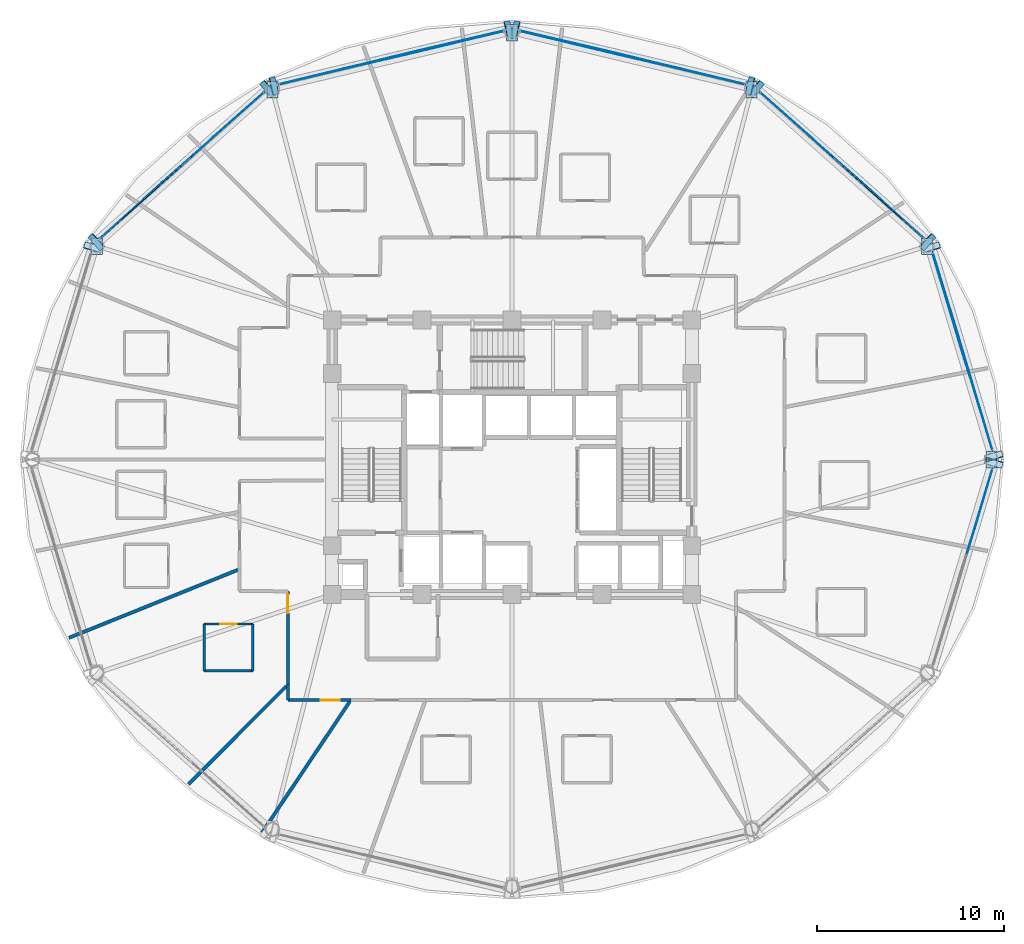
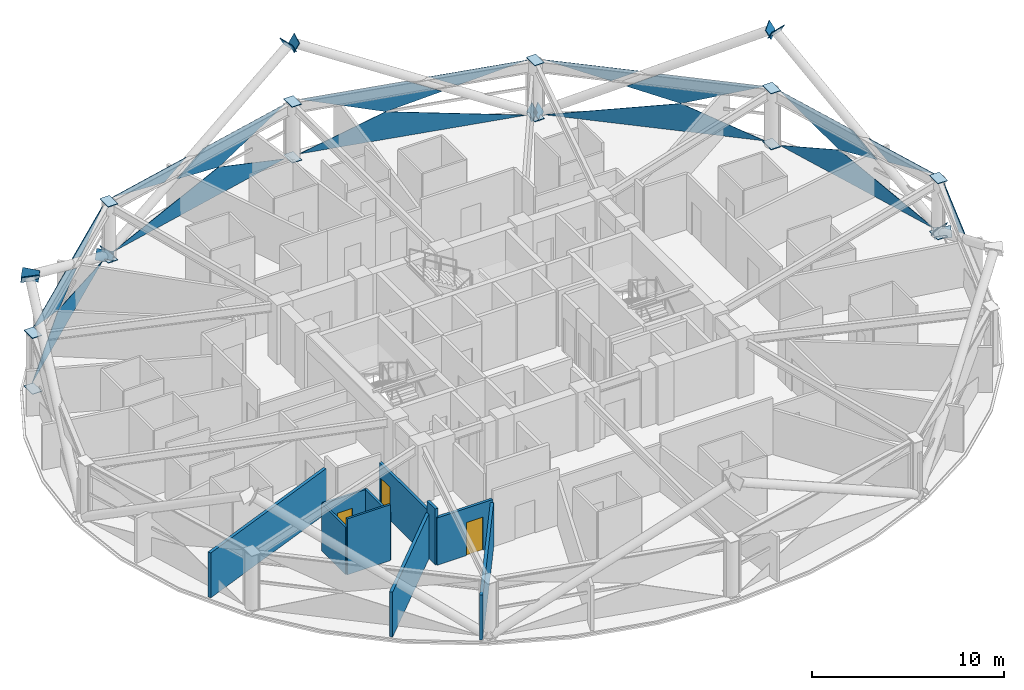
# One storey, part 23 of 32: 40 plates, 10 walls, 3 doors, 3 openings, 6 elements without a shape of their own.
"""IFC4 building model written with IfcOpenShell, lengths in metres."""

from ifc_helpers import new_model, si_unit, direction, frame, frame_2d, origin, place, context, subcontext, project, spatial, polyline, rectangle, outline, extrude, material, layer, layer_set, type_object, element, fill, aggregate, save


model = new_model("IFC4")

# Units and contexts
model_context = context("Model", 3, precision=1e-05, world=origin(), true_north=direction((0.0, 1.0)))
body_context = subcontext(model_context, "Body", "Model", "MODEL_VIEW")
ifc_project = project(units=[si_unit("LENGTHUNIT", "METRE"), si_unit("AREAUNIT", "SQUARE_METRE"), si_unit("VOLUMEUNIT", "CUBIC_METRE"), si_unit("PLANEANGLEUNIT", "RADIAN"), si_unit("MASSUNIT", "GRAM", prefix="KILO")], contexts=[model_context])

# Site, building, storey
site_placement = place(None, origin())
site = spatial("IfcSite", under=ifc_project, at=site_placement, CompositionType="ELEMENT")
building_placement = place(site_placement, origin())
building = spatial("IfcBuilding", under=site, at=building_placement, Name="Vantalir Tower", CompositionType="ELEMENT")
storey_placement = place(building_placement, frame((0.0, 0.0, 104.699951171875)))
storey = spatial("IfcBuildingStorey", under=building, at=storey_placement, Name="L25", CompositionType="ELEMENT", Elevation=104.699951171875)

# Curtain wall, plates
ifc_material_1 = material(Name="Champagne-silver PVDF aluminium and double-silver Low-E glass", Category="aluminium")
ifc_layer_1 = layer(ifc_material_1, 0.199951171875)
ifc_layer_set_1 = layer_set([ifc_layer_1], Name="Champagne-silver PVDF aluminium and double-silver Low-E glass")
curtain_wall_type = type_object("IfcCurtainWallType", Name="CW-DIAMOND-Z2", PredefinedType="USERDEFINED", material=ifc_layer_set_1)
curtain_wall_1_placement = place(storey_placement, origin())
curtain_wall_1 = element("IfcCurtainWall", 1, at=curtain_wall_1_placement, inside=storey, type_object=curtain_wall_type, Name="L25 Quilted Pyramid-Diamond Curtain Wall S01", ObjectType="UNITISED CURTAIN WALL", PredefinedType="USERDEFINED")
ifc_material_2 = material(Name="Double-silver Low-E laminated glass IGU", Category="glass")
ifc_layer_2 = layer(ifc_material_2, 0.028076171875)
ifc_layer_set_2 = layer_set([ifc_layer_2], Name="Double-silver Low-E laminated glass IGU")
plate_type_1 = type_object("IfcPlateType", Name="CWP-IGU-28", PredefinedType="CURTAIN_PANEL", material=ifc_layer_set_2)
plate_1_placement = place(storey_placement, frame((57.14697265625, 25.435791015625, 0.04638671875), z_axis=(-0.957572069802, -0.287866428503, 0.013735009114), x_axis=(-0.287893295674, 0.957662492646, 2.2020292e-05)))
plate_1 = element("IfcPlate", 2, at=plate_1_placement, type_object=plate_type_1, Name="CW-L25-S01 Pyramid Diamond Facet 1L", PredefinedType="CURTAIN_PANEL", context=body_context, shape_type="SweptSolid", body=[
    extrude(outline(polyline([(0.0, 0.0), (11.087074896201033, 7.508100044462118e-18), (6.8682200290190405, -1.7268182910625938), (0.0, 0.0)])), origin(), (0.0, 0.0, -1.0), 0.028076171875),
])
plate_2_placement = place(storey_placement, frame((55.456787109375, 31.057861328125, 3.5234375), z_axis=(0.957575443257, 0.287853566975, 0.013769330091), x_axis=(-0.287880858464, 0.957666231696, -8.465e-09)))
plate_2 = element("IfcPlate", 3, at=plate_2_placement, type_object=plate_type_1, Name="CW-L25-S01 Pyramid Diamond Facet 2U", PredefinedType="CURTAIN_PANEL", context=body_context, shape_type="SweptSolid", body=[
    extrude(outline(polyline([(0.0, 0.0), (5.216435935880668, -3.469446951953614e-18), (0.9975433712634988, -1.726726188166843), (-1.7401372522594103, -1.0384285818292187), (0.0, 0.0)])), origin(), (0.0, 0.0, -1.0), 0.028076171875),
])
plate_3_placement = place(storey_placement, frame((57.177734375, 25.44482421875, 3.52392578125), z_axis=(0.957562591096, 0.287894635232, 0.013804460789), x_axis=(-0.287922070205, 0.957653842204, 0.0)))
plate_3 = element("IfcPlate", 4, at=plate_3_placement, type_object=plate_type_1, Name="CW-L25-S01 Pyramid Diamond Facet 2U Infill Light", PredefinedType="CURTAIN_PANEL", context=body_context, shape_type="SweptSolid", body=[
    extrude(outline(polyline([(0.0, 0.0), (4.758638983539541, -3.469446951953614e-18), (3.3481530526053396, -0.8416329303017664), (0.0, 0.0)])), origin(), (0.0, 0.0, -1.0), 0.028076171875),
])
aggregate(curtain_wall_1, [plate_1, plate_2, plate_3])

curtain_wall_2_placement = place(storey_placement, origin())
curtain_wall_2 = element("IfcCurtainWall", 5, at=curtain_wall_2_placement, inside=storey, type_object=curtain_wall_type, Name="L25 Quilted Pyramid-Diamond Curtain Wall S02", ObjectType="UNITISED CURTAIN WALL", PredefinedType="USERDEFINED")
plate_4_placement = place(storey_placement, frame((53.484375, 36.791748046875, 0.046630859375), z_axis=(-0.665369240134, -0.746388562163, 0.013707244681), x_axis=(-0.746458880682, 0.66543154345, -2.0813598e-05)))
plate_4 = element("IfcPlate", 6, at=plate_4_placement, type_object=plate_type_1, Name="CW-L25-S02 Pyramid Diamond Facet 1L", PredefinedType="CURTAIN_PANEL", context=body_context, shape_type="SweptSolid", body=[
    extrude(outline(polyline([(0.0, 0.0), (11.729861619438788, -1.7943545954635098e-17), (4.4590135223658, -1.7270617043016523), (0.0, 0.0)])), origin(), (0.0, 0.0, -1.0), 0.028076171875),
])
plate_5_placement = place(storey_placement, frame((53.484375, 36.791748046875, 3.5234375), z_axis=(0.665380784811, 0.746379043295, 0.01366509913), x_axis=(-0.746449141389, 0.665442467363, 4.4153414e-05)))
plate_5 = element("IfcPlate", 7, at=plate_5_placement, type_object=plate_type_1, Name="CW-L25-S02 Pyramid Diamond Facet 2U", PredefinedType="CURTAIN_PANEL", context=body_context, shape_type="SweptSolid", body=[
    extrude(outline(polyline([(0.0, 0.0), (5.527477233134237, 8.944667923005412e-18), (7.359887983364958, -1.0382637066495168), (4.45897356161791, -1.7271648733868552), (0.0, 0.0)])), origin(), (0.0, 0.0, -1.0), 0.028076171875),
])
plate_6_placement = place(storey_placement, frame((48.516357421875, 41.263427734375, 3.52392578125), z_axis=(0.665386052483, 0.746375118793, 0.013622892792), x_axis=(-0.746444823577, 0.665447310472, 4.8385611e-05)))
plate_6 = element("IfcPlate", 8, at=plate_6_placement, type_object=plate_type_1, Name="CW-L25-S02 Pyramid Diamond Facet 2U Infill Light", PredefinedType="CURTAIN_PANEL", context=body_context, shape_type="SweptSolid", body=[
    extrude(outline(polyline([(0.0, 0.0), (5.0457278326719734, -8.890457814381136e-18), (1.4905383379831172, -0.8443887586698617), (0.0, 0.0)])), origin(), (0.0, 0.0, -1.0), 0.028076171875),
])
aggregate(curtain_wall_2, [plate_4, plate_5, plate_6])

curtain_wall_3_placement = place(storey_placement, origin())
curtain_wall_3 = element("IfcCurtainWall", 9, at=curtain_wall_3_placement, inside=storey, type_object=curtain_wall_type, Name="L25 Quilted Pyramid-Diamond Curtain Wall S03", ObjectType="UNITISED CURTAIN WALL", PredefinedType="USERDEFINED")
plate_7_placement = place(storey_placement, frame((43.946533203125, 45.005615234375, 0.04638671875), z_axis=(-0.232255201791, -0.97255746743, 0.013765674256), x_axis=(-0.972649563879, 0.23227747522, 1.9781764e-05)))
plate_7 = element("IfcPlate", 10, at=plate_7_placement, type_object=plate_type_1, Name="CW-L25-S03 Pyramid Diamond Facet 1L", PredefinedType="CURTAIN_PANEL", context=body_context, shape_type="SweptSolid", body=[
    extrude(outline(polyline([(0.0, 0.0), (12.341701303755851, 1.2197274440461925e-18), (7.6458252188057445, -1.7273073390602611), (0.0, 0.0)])), origin(), (0.0, 0.0, -1.0), 0.028076171875),
])
plate_8_placement = place(storey_placement, frame((37.607421875, 46.51953125, 3.523681640625), z_axis=(0.2322275837, 0.972564443903, 0.013738698034), x_axis=(-0.972656108273, 0.232250066232, -4.2123044e-05)))
plate_8 = element("IfcPlate", 11, at=plate_8_placement, type_object=plate_type_1, Name="CW-L25-S03 Pyramid Diamond Facet 2U", PredefinedType="CURTAIN_PANEL", context=body_context, shape_type="SweptSolid", body=[
    extrude(outline(polyline([(0.0, 0.0), (5.824318846553339, -1.5449880957918438e-18), (1.1284806812019208, -1.727410421993151), (-1.921730495743809, -1.038266076908136), (0.0, 0.0)])), origin(), (0.0, 0.0, -1.0), 0.028076171875),
])
plate_9_placement = place(storey_placement, frame((43.953857421875, 45.036865234375, 3.524169921875), z_axis=(0.232272822853, 0.972553524814, 0.013746895471), x_axis=(-0.97264543303, 0.232294773091, 0.0)))
plate_9 = element("IfcPlate", 12, at=plate_9_placement, type_object=plate_type_1, Name="CW-L25-S03 Pyramid Diamond Facet 2U Infill Light", PredefinedType="CURTAIN_PANEL", context=body_context, shape_type="SweptSolid", body=[
    extrude(outline(polyline([(0.0, 0.0), (5.3190852582904204, 0.0), (3.7505650794186045, -0.8474921914817816), (0.0, 0.0)])), origin(), (0.0, 0.0, -1.0), 0.028076171875),
])
aggregate(curtain_wall_3, [plate_7, plate_8, plate_9])

curtain_wall_4_placement = place(storey_placement, origin())
curtain_wall_4 = element("IfcCurtainWall", 13, at=curtain_wall_4_placement, inside=storey, type_object=curtain_wall_type, Name="L25 Quilted Pyramid-Diamond Curtain Wall S04", ObjectType="UNITISED CURTAIN WALL", PredefinedType="USERDEFINED")
plate_10_placement = place(storey_placement, frame((31.0576171875, 47.872314453125, 0.046630859375), z_axis=(0.232255201791, -0.97255746743, 0.013765674256), x_axis=(-0.972649563879, -0.23227747522, -1.9781764e-05)))
plate_10 = element("IfcPlate", 14, at=plate_10_placement, type_object=plate_type_1, Name="CW-L25-S04 Pyramid Diamond Facet 1L", PredefinedType="CURTAIN_PANEL", context=body_context, shape_type="SweptSolid", body=[
    extrude(outline(polyline([(0.0, 0.0), (12.341701303755851, -1.2197274440461925e-18), (4.695876084950106, -1.7273073390602613), (0.0, 0.0)])), origin(), (0.0, 0.0, -1.0), 0.028076171875),
])
plate_11_placement = place(storey_placement, frame((31.0576171875, 47.872314453125, 3.5234375), z_axis=(-0.2322275837, 0.972564443903, 0.013738698034), x_axis=(-0.972656108273, -0.232250066232, 4.2123044e-05)))
plate_11 = element("IfcPlate", 15, at=plate_11_placement, type_object=plate_type_1, Name="CW-L25-S04 Pyramid Diamond Facet 2U", PredefinedType="CURTAIN_PANEL", context=body_context, shape_type="SweptSolid", body=[
    extrude(outline(polyline([(0.0, 0.0), (5.824318846553339, 1.5449880957918438e-18), (7.746049342297147, -1.038266076908136), (4.695838165351418, -1.727410421993151), (0.0, 0.0)])), origin(), (0.0, 0.0, -1.0), 0.028076171875),
])
plate_12_placement = place(storey_placement, frame((24.2197265625, 46.2724609375, 3.524169921875), z_axis=(-0.232272822853, 0.972553524814, 0.013746895471), x_axis=(-0.97264543303, -0.232294773091, 0.0)))
plate_12 = element("IfcPlate", 16, at=plate_12_placement, type_object=plate_type_1, Name="CW-L25-S04 Pyramid Diamond Facet 2U Infill Light", PredefinedType="CURTAIN_PANEL", context=body_context, shape_type="SweptSolid", body=[
    extrude(outline(polyline([(0.0, 0.0), (5.3190852582904204, 0.0), (1.568520178871816, -0.8474921914817816), (0.0, 0.0)])), origin(), (0.0, 0.0, -1.0), 0.028076171875),
])
aggregate(curtain_wall_4, [plate_10, plate_11, plate_12])

curtain_wall_5_placement = place(storey_placement, origin())
curtain_wall_5 = element("IfcCurtainWall", 17, at=curtain_wall_5_placement, inside=storey, type_object=curtain_wall_type, Name="L25 Quilted Pyramid-Diamond Curtain Wall S05", ObjectType="UNITISED CURTAIN WALL", PredefinedType="USERDEFINED")
plate_13_placement = place(storey_placement, frame((18.271484375, 44.59716796875, 0.04638671875), z_axis=(0.665369240134, -0.746388562163, 0.013707244681), x_axis=(-0.746458880682, -0.66543154345, 2.0813598e-05)))
plate_13 = element("IfcPlate", 18, at=plate_13_placement, type_object=plate_type_1, Name="CW-L25-S05 Pyramid Diamond Facet 1L", PredefinedType="CURTAIN_PANEL", context=body_context, shape_type="SweptSolid", body=[
    extrude(outline(polyline([(0.0, 0.0), (11.729861619438788, 1.7943545954635098e-17), (7.27084809707299, -1.727061704301652), (0.0, 0.0)])), origin(), (0.0, 0.0, -1.0), 0.028076171875),
])
plate_14_placement = place(storey_placement, frame((13.6416015625, 40.469970703125, 3.523681640625), z_axis=(-0.665380784811, 0.746379043295, 0.01366509913), x_axis=(-0.746449141389, -0.665442467363, -4.4153414e-05)))
plate_14 = element("IfcPlate", 19, at=plate_14_placement, type_object=plate_type_1, Name="CW-L25-S05 Pyramid Diamond Facet 2U", PredefinedType="CURTAIN_PANEL", context=body_context, shape_type="SweptSolid", body=[
    extrude(outline(polyline([(0.0, 0.0), (5.527477233134237, -8.944667923005412e-18), (1.0685036715163276, -1.7271648733868554), (-1.8324107502307216, -1.038263706649517), (0.0, 0.0)])), origin(), (0.0, 0.0, -1.0), 0.028076171875),
])
plate_15_placement = place(storey_placement, frame((18.25, 44.62109375, 3.524169921875), z_axis=(-0.665386052483, 0.746375118793, 0.013622892792), x_axis=(-0.746444823577, -0.665447310472, -4.8385611e-05)))
plate_15 = element("IfcPlate", 20, at=plate_15_placement, type_object=plate_type_1, Name="CW-L25-S05 Pyramid Diamond Facet 2U Infill Light", PredefinedType="CURTAIN_PANEL", context=body_context, shape_type="SweptSolid", body=[
    extrude(outline(polyline([(0.0, 0.0), (5.0457278326719734, 8.890457814381136e-18), (3.5551894946888556, -0.8443887586698618), (0.0, 0.0)])), origin(), (0.0, 0.0, -1.0), 0.028076171875),
])
aggregate(curtain_wall_5, [plate_13, plate_14, plate_15])

# Curtain wall, plate
curtain_wall_6_placement = place(storey_placement, origin())
curtain_wall_6 = element("IfcCurtainWall", 21, at=curtain_wall_6_placement, inside=storey, type_object=curtain_wall_type, Name="L25 Quilted Pyramid-Diamond Curtain Wall S12", ObjectType="UNITISED CURTAIN WALL", PredefinedType="USERDEFINED")
plate_16_placement = place(storey_placement, frame((55.8076171875, 19.998046875, 3.52392578125), z_axis=(0.957562591096, -0.287894635232, 0.013804460789), x_axis=(0.287922070205, 0.957653842204, 0.0)))
plate_16 = element("IfcPlate", 22, at=plate_16_placement, type_object=plate_type_1, Name="CW-L25-S12 Pyramid Diamond Facet 2U Infill Light", PredefinedType="CURTAIN_PANEL", context=body_context, shape_type="SweptSolid", body=[
    extrude(outline(polyline([(0.0, 0.0), (4.758638983539541, 3.469446951953614e-18), (1.4104859309342017, -0.8416329303017664), (0.0, 0.0)])), origin(), (0.0, 0.0, -1.0), 0.028076171875),
])
aggregate(curtain_wall_6, [plate_16])

# Plates
ifc_material_3 = material(Name="Steel S460", Category="steel")
ifc_layer_3 = layer(ifc_material_3, 0.0400390625)
ifc_layer_set_3 = layer_set([ifc_layer_3], Name="Steel S460")
plate_type_2 = type_object("IfcPlateType", Name="PLT-KN-Z1", PredefinedType="USERDEFINED", material=ifc_layer_set_3)
plate_17_placement = place(storey_placement, frame((57.630859375, 25.476318359375, -0.0693359375), z_axis=(-0.247189242662, 0.822455993553, 0.512312030877), x_axis=(-0.957683956664, -0.287821887429, -1.6270485e-05)))
element("IfcPlate", 23, at=plate_17_placement, inside=storey, type_object=plate_type_2, Name="Node Cap Plate MEM-DG-L25-R01L Start", ObjectType="FLANGE_PLATE", PredefinedType="USERDEFINED", context=body_context, shape_type="SweptSolid", body=[
    extrude(outline(polyline([(0.0, 0.0), (0.9501095264668244, 0.0), (0.949977471305542, 0.62003556284863), (0.00010175439844990708, 0.6199995664536296), (0.0, 0.0)])), origin(), (0.0, 0.0, -1.0), 0.0400390625),
])
plate_18_placement = place(storey_placement, frame((54.279541015625, 36.623291015625, 6.87744140625), z_axis=(-0.247289805387, 0.822313087792, 0.512492866095), x_axis=(-0.957644388178, -0.287953508154, -5.4158709e-05)))
element("IfcPlate", 24, at=plate_18_placement, inside=storey, type_object=plate_type_2, Name="Node Cap Plate MEM-DG-L25-R01L End", ObjectType="FLANGE_PLATE", PredefinedType="USERDEFINED", context=body_context, shape_type="SweptSolid", body=[
    extrude(outline(polyline([(0.0, 0.0), (0.949875712764493, 0.0), (0.9498374459084433, 0.6201553840651606), (-0.0001085680055012954, 0.6200355600148448), (0.0, 0.0)])), origin(), (0.0, 0.0, -1.0), 0.0400390625),
])
plate_19_placement = place(storey_placement, frame((56.720947265625, 24.797119140625, -0.0693359375), z_axis=(-0.247189242662, -0.822455993553, 0.512312030877), x_axis=(0.957683956664, -0.287821887429, 1.6270485e-05)))
element("IfcPlate", 25, at=plate_19_placement, inside=storey, type_object=plate_type_2, Name="Node Cap Plate MEM-DG-L25-R01R Start", ObjectType="FLANGE_PLATE", PredefinedType="USERDEFINED", context=body_context, shape_type="SweptSolid", body=[
    extrude(outline(polyline([(0.0, 0.0), (0.9501095264668244, 0.0), (0.9500077720683746, 0.6199995664536296), (0.00013205516128256313, 0.62003556284863), (0.0, 0.0)])), origin(), (0.0, 0.0, -1.0), 0.0400390625),
])
plate_20_placement = place(storey_placement, frame((44.160888671875, 45.44287109375, -0.084228515625), z_axis=(-0.855718354814, 0.204404648633, 0.475357588403), x_axis=(-0.232326183923, -0.972637930634, 1.2484436e-05)))
element("IfcPlate", 26, at=plate_20_placement, inside=storey, type_object=plate_type_2, Name="Node Cap Plate MEM-DG-L25-R07L Start", ObjectType="FLANGE_PLATE", PredefinedType="USERDEFINED", context=body_context, shape_type="SweptSolid", body=[
    extrude(outline(polyline([(0.0, 0.0), (0.9500628510048675, 1.3877787807814457e-17), (0.9499689962394693, 0.6199168368758669), (0.0001436056668853597, 0.6199437966735601), (0.0, 0.0)])), origin(), (0.0, 0.0, -1.0), 0.0400390625),
])
plate_21_placement = place(storey_placement, frame((31.6279296875, 48.435791015625, 6.8779296875), z_axis=(-0.855743063416, 0.204383548039, 0.475322179902), x_axis=(-0.232303709897, -0.972643298629, 0.0)))
element("IfcPlate", 27, at=plate_21_placement, inside=storey, type_object=plate_type_2, Name="Node Cap Plate MEM-DG-L25-R07L End", ObjectType="FLANGE_PLATE", PredefinedType="USERDEFINED", context=body_context, shape_type="SweptSolid", body=[
    extrude(outline(polyline([(0.0, 0.0), (0.9500628513325243, 0.0), (0.9499689959118446, 0.6199168373779231), (-9.385542067971708e-05, 0.6199168373779231), (0.0, 0.0)])), origin(), (0.0, 0.0, -1.0), 0.0400390625),
])
plate_22_placement = place(storey_placement, frame((44.3349609375, 44.311767578125, -0.077392578125), z_axis=(0.649504929742, -0.579064560361, 0.492775386129), x_axis=(0.665473588203, 0.746421397994, -4.459391e-06)))
element("IfcPlate", 28, at=plate_22_placement, inside=storey, type_object=plate_type_2, Name="Node Cap Plate MEM-DG-L25-R07R Start", ObjectType="FLANGE_PLATE", PredefinedType="USERDEFINED", context=body_context, shape_type="SweptSolid", body=[
    extrude(outline(polyline([(0.0, 0.0), (0.950178406889728, 2.7755575615628914e-17), (0.949884203497994, 0.6200666053914518), (5.049753263072288e-05, 0.6200568681820877), (0.0, 0.0)])), origin(), (0.0, 0.0, -1.0), 0.0400390625),
])
plate_23_placement = place(storey_placement, frame((53.499755859375, 36.1416015625, 6.877685546875), z_axis=(0.649512501575, -0.57897164297, 0.492874575256), x_axis=(0.66542527063, 0.746464471704, -4.1127171e-05)))
element("IfcPlate", 29, at=plate_23_placement, inside=storey, type_object=plate_type_2, Name="Node Cap Plate MEM-DG-L25-R07R End", ObjectType="FLANGE_PLATE", PredefinedType="USERDEFINED", context=body_context, shape_type="SweptSolid", body=[
    extrude(outline(polyline([(0.0, 0.0), (0.9501784036206771, 0.0), (0.9500664372739172, 0.6201466799572815), (5.049099470247789e-05, 0.6200568631731093), (0.0, 0.0)])), origin(), (0.0, 0.0, -1.0), 0.0400390625),
])
plate_24_placement = place(storey_placement, frame((18.03271484375, 45.02099609375, -0.077392578125), z_axis=(-0.649504929742, -0.579064560361, 0.492775386129), x_axis=(0.665473588203, -0.746421397994, 4.459391e-06)))
element("IfcPlate", 30, at=plate_24_placement, inside=storey, type_object=plate_type_2, Name="Node Cap Plate MEM-DG-L25-R13L Start", ObjectType="FLANGE_PLATE", PredefinedType="USERDEFINED", context=body_context, shape_type="SweptSolid", body=[
    extrude(outline(polyline([(0.0, 0.0), (0.950178406889728, -2.7755575615628914e-17), (0.9501279093570972, 0.6200568681820877), (0.00029420339173397635, 0.6200666053914516), (0.0, 0.0)])), origin(), (0.0, 0.0, -1.0), 0.0400390625),
])
plate_25_placement = place(storey_placement, frame((8.867919921875, 36.850830078125, 6.877685546875), z_axis=(-0.649512501575, -0.57897164297, 0.492874575256), x_axis=(0.66542527063, -0.746464471704, 4.1127171e-05)))
element("IfcPlate", 31, at=plate_25_placement, inside=storey, type_object=plate_type_2, Name="Node Cap Plate MEM-DG-L25-R13L End", ObjectType="FLANGE_PLATE", PredefinedType="USERDEFINED", context=body_context, shape_type="SweptSolid", body=[
    extrude(outline(polyline([(0.0, 0.0), (0.9501784036206771, 0.0), (0.9501279126259745, 0.6200568631731093), (0.00011196634675985747, 0.6201466799572815), (0.0, 0.0)])), origin(), (0.0, 0.0, -1.0), 0.0400390625),
])
plate_26_placement = place(storey_placement, frame((19.059814453125, 44.518798828125, -0.084228515625), z_axis=(0.855718354814, 0.204404648633, 0.475357588403), x_axis=(-0.232326183923, 0.972637930634, -1.2484436e-05)))
element("IfcPlate", 32, at=plate_26_placement, inside=storey, type_object=plate_type_2, Name="Node Cap Plate MEM-DG-L25-R13R Start", ObjectType="FLANGE_PLATE", PredefinedType="USERDEFINED", context=body_context, shape_type="SweptSolid", body=[
    extrude(outline(polyline([(0.0, 0.0), (0.9500628510048675, -1.3877787807814457e-17), (0.9499192453379821, 0.6199437966735601), (9.385476539828852e-05, 0.6199168368758669), (0.0, 0.0)])), origin(), (0.0, 0.0, -1.0), 0.0400390625),
])
plate_27_placement = place(storey_placement, frame((31.5927734375, 47.51171875, 6.8779296875), z_axis=(0.855743063416, 0.204383548039, 0.475322179902), x_axis=(-0.232303709897, 0.972643298629, 0.0)))
element("IfcPlate", 33, at=plate_27_placement, inside=storey, type_object=plate_type_2, Name="Node Cap Plate MEM-DG-L25-R13R End", ObjectType="FLANGE_PLATE", PredefinedType="USERDEFINED", context=body_context, shape_type="SweptSolid", body=[
    extrude(outline(polyline([(0.0, 0.0), (0.9500628513325243, 0.0), (0.950156706753204, 0.6199168373779231), (9.385542067971708e-05, 0.6199168373779231), (0.0, 0.0)])), origin(), (0.0, 0.0, -1.0), 0.0400390625),
])
plate_28_placement = place(storey_placement, frame((9.630126953125, 36.349853515625, 6.87744140625), z_axis=(0.247289805387, 0.822313087792, 0.512492866095), x_axis=(-0.957644388178, 0.287953508154, 5.4158709e-05)))
element("IfcPlate", 34, at=plate_28_placement, inside=storey, type_object=plate_type_2, Name="Node Cap Plate MEM-DG-L25-R19R End", ObjectType="FLANGE_PLATE", PredefinedType="USERDEFINED", context=body_context, shape_type="SweptSolid", body=[
    extrude(outline(polyline([(0.0, 0.0), (0.949875712764493, 0.0), (0.9499842807699942, 0.6200355600148448), (3.8266856049696694e-05, 0.6201553840651606), (0.0, 0.0)])), origin(), (0.0, 0.0, -1.0), 0.0400390625),
])
ifc_layer_4 = layer(ifc_material_3, 0.035888671875)
ifc_layer_set_4 = layer_set([ifc_layer_4], Name="Steel S460")
plate_type_3 = type_object("IfcPlateType", Name="PLT-KN-Z2", PredefinedType="USERDEFINED", material=ifc_layer_set_4)
for number, where, z_axis, x_axis, name in (
    (35, (56.798095703125, 25.43994140625, 3.59814453125), (0.0, 0.0, 1.0), (0.0, -1.0, 0.0), "L25 Ring Column Top Cap RC01"),
    (36, (56.798095703125, 25.43994140625, 0.052978515625), (0.0, 0.0, 1.0), (0.0, -1.0, 0.0), "L25 Ring Column Base Cap RC01"),
    (37, (53.3701171875, 36.833984375, 3.59814453125), (0.0, 0.0, 1.0), (0.0, -1.0, 0.0), "L25 Ring Column Top Cap RC02"),
    (38, (53.3701171875, 36.833984375, 0.052978515625), (0.0, 0.0, 1.0), (0.0, -1.0, 0.0), "L25 Ring Column Base Cap RC02"),
):
    element("IfcPlate", number, at=place(storey_placement, frame(where, z_axis=z_axis, x_axis=x_axis)), inside=storey, type_object=plate_type_3, Name=name, ObjectType="FLANGE_PLATE", PredefinedType="USERDEFINED", context=body_context, shape_type="SweptSolid", body=[
        extrude(outline(polyline([(0.0, 0.0), (0.8798828125, 0.0), (0.8798828125, 0.579833984375), (0.0, 0.579833984375), (0.0, 0.0)])), origin(), (0.0, 0.0, -1.0), 0.035888671875),
    ])
for number, where, z_axis, x_axis, name in (
    (39, (44.00390625, 45.175048828125, 3.59814453125), (0.0, 0.0, 1.0), (0.0, -1.0, 0.0), "L25 Ring Column Top Cap RC03"),
    (40, (44.00390625, 45.175048828125, 0.052978515625), (0.0, 0.0, 1.0), (0.0, -1.0, 0.0), "L25 Ring Column Base Cap RC03"),
    (41, (31.2099609375, 48.22802734375, 3.59814453125), (0.0, 0.0, 1.0), (0.0, -1.0, 0.0), "L25 Ring Column Top Cap RC04"),
    (42, (31.2099609375, 48.22802734375, 0.052978515625), (0.0, 0.0, 1.0), (0.0, -1.0, 0.0), "L25 Ring Column Base Cap RC04"),
    (43, (18.416015625, 45.175048828125, 3.59814453125), (0.0, 0.0, 1.0), (0.0, -1.0, 0.0), "L25 Ring Column Top Cap RC05"),
    (44, (18.416015625, 45.175048828125, 0.052978515625), (0.0, 0.0, 1.0), (0.0, -1.0, 0.0), "L25 Ring Column Base Cap RC05"),
):
    element("IfcPlate", number, at=place(storey_placement, frame(where, z_axis=z_axis, x_axis=x_axis)), inside=storey, type_object=plate_type_3, Name=name, ObjectType="FLANGE_PLATE", PredefinedType="USERDEFINED", context=body_context, shape_type="SweptSolid", body=[
        extrude(outline(polyline([(0.0, 0.0), (0.880126953125, 0.0), (0.880126953125, 0.580078125), (0.0, 0.580078125), (0.0, 0.0)])), origin(), (0.0, 0.0, -1.0), 0.035888671875),
    ])
for number, where, z_axis, x_axis, name in (
    (45, (9.050048828125, 36.833984375, 3.59814453125), (0.0, 0.0, 1.0), (0.0, -1.0, 0.0), "L25 Ring Column Top Cap RC06"),
    (46, (9.050048828125, 36.833984375, 0.052978515625), (0.0, 0.0, 1.0), (0.0, -1.0, 0.0), "L25 Ring Column Base Cap RC06"),
):
    element("IfcPlate", number, at=place(storey_placement, frame(where, z_axis=z_axis, x_axis=x_axis)), inside=storey, type_object=plate_type_3, Name=name, ObjectType="FLANGE_PLATE", PredefinedType="USERDEFINED", context=body_context, shape_type="SweptSolid", body=[
        extrude(outline(polyline([(0.0, 0.0), (0.8798828125, 0.0), (0.8798828125, 0.579833984375), (0.0, 0.579833984375), (0.0, 0.0)])), origin(), (0.0, 0.0, -1.0), 0.035888671875),
    ])

# Wall
ifc_material_4 = material(Name="Moisture-resistant en-suite partition", Category="gypsum")
ifc_layer_5 = layer(ifc_material_4, 0.125)
ifc_layer_set_5 = layer_set([ifc_layer_5], Name="Moisture-resistant en-suite partition")
wall_type_1 = type_object("IfcWallType", Name="WL-BATH-125", PredefinedType="PARTITIONING", material=ifc_layer_set_5)
wall_1_placement = place(storey_placement, frame((15.070068359375, 13.721923828125, 0.0), z_axis=(0.0, 0.0, 1.0), x_axis=(1.0, 0.0, 0.0)))
element("IfcWall", 47, at=wall_1_placement, inside=storey, type_object=wall_type_1, Name="L25 En-suite 13 South Wall", PredefinedType="PARTITIONING", context=body_context, shape_type="SweptSolid", body=[
    extrude(rectangle(XDim=2.599853515625, YDim=0.125, at=frame_2d((1.2998046875, 0.0))), origin(), (0.0, 0.0, 1.0), 3.550048828125),
])

# Wall, opening, door
wall_2_placement = place(storey_placement, frame((15.070068359375, 16.221923828125, 0.0), z_axis=(0.0, 0.0, 1.0), x_axis=(1.0, 0.0, 0.0)))
wall_2 = element("IfcWall", 48, at=wall_2_placement, inside=storey, type_object=wall_type_1, Name="L25 En-suite 13 North Wall", PredefinedType="PARTITIONING", context=body_context, shape_type="SweptSolid", body=[
    extrude(rectangle(XDim=2.599853515625, YDim=0.125, at=frame_2d((1.2998046875, 0.0))), origin(), (0.0, 0.0, 1.0), 3.006103515625),
])
opening_1_placement = place(wall_2_placement, frame((0.85009765625, 0.0, 0.0)))
opening_1 = element("IfcOpeningElement", 49, at=opening_1_placement, cuts=wall_2, Name="Opening D-WC", PredefinedType="OPENING", context=body_context, shape_type="SweptSolid", body=[
    extrude(rectangle(XDim=0.89990234375, YDim=2.10009765625, at=frame_2d((0.449951171875, 1.050048828125))), frame((0.0, 0.072509765625, 0.0), z_axis=(0.0, -1.0, 0.0), x_axis=(1.0, 0.0, 0.0)), (0.0, 0.0, 1.0), 0.14501953125),
])
ifc_material_5 = material(Name="Moisture-resistant hardwood door", Category="wood")
door_type_1 = type_object("IfcDoorType", Name="DR-ENSUITE-900", OperationType="NOTDEFINED", PredefinedType="DOOR", material=ifc_material_5)
door_1_placement = place(opening_1_placement, frame((0.89990234375, 0.0, 0.0), z_axis=(0.0, 0.0, 1.0), x_axis=(-1.0, 0.0, 0.0)))
door_1 = element("IfcDoor", 50, at=door_1_placement, inside=storey, type_object=door_type_1, Name="L25 En-suite 13 Door", OperationType="SINGLE_SWING_LEFT", OverallHeight=2.10009765625, OverallWidth=0.89990234375, PredefinedType="DOOR", context=body_context, shape_type="SweptSolid", body=[
    extrude(rectangle(XDim=0.89990234375, YDim=2.10009765625, at=frame_2d((0.449951171875, 1.050048828125))), frame((0.0, 0.02490234375, 0.0), z_axis=(0.0, -1.0, 0.0), x_axis=(1.0, 0.0, 0.0)), (0.0, 0.0, 1.0), 0.050048828125),
])
fill(opening_1, door_1)

# Walls
for number, where, z_axis, x_axis, name in (
    (51, (15.070068359375, 13.721923828125, 0.0), (0.0, 0.0, 1.0), (0.0, 1.0, 0.0), "L25 En-suite 13 West Wall"),
    (52, (17.669921875, 13.721923828125, 0.0), (0.0, 0.0, 1.0), (0.0, 1.0, 0.0), "L25 En-suite 13 East Wall"),
):
    element("IfcWall", number, at=place(storey_placement, frame(where, z_axis=z_axis, x_axis=x_axis)), inside=storey, type_object=wall_type_1, Name=name, PredefinedType="PARTITIONING", context=body_context, shape_type="SweptSolid", body=[
        extrude(rectangle(XDim=2.5, YDim=0.125, at=frame_2d((1.25, 0.0))), origin(), (0.0, 0.0, 1.0), 3.006103515625),
    ])

# Wall, opening, door
ifc_material_6 = material(Name="Fire-rated hotel corridor acoustic partition", Category="gypsum")
ifc_layer_6 = layer(ifc_material_6, 0.159912109375)
ifc_layer_set_6 = layer_set([ifc_layer_6], Name="Fire-rated hotel corridor acoustic partition")
wall_type_2 = type_object("IfcWallType", Name="WL-CORR-160", PredefinedType="PARTITIONING", material=ifc_layer_set_6)
wall_3_placement = place(storey_placement, frame((22.89599609375, 12.157958984375, 0.0), z_axis=(0.0, 0.0, 1.0), x_axis=(-0.999999957333, -0.000292120049, 0.0)))
wall_3 = element("IfcWall", 53, at=wall_3_placement, inside=storey, type_object=wall_type_2, Name="L25 Corridor Partition 31", PredefinedType="PARTITIONING", context=body_context, shape_type="SweptSolid", body=[
    extrude(rectangle(XDim=3.343017578125, YDim=0.159912109375, at=frame_2d((1.67138671875, 0.0))), origin(), (0.0, 0.0, 1.0), 3.006103515625),
])
opening_2_placement = place(wall_3_placement, frame((0.593994140625, 0.0, 0.0)))
opening_2 = element("IfcOpeningElement", 54, at=opening_2_placement, cuts=wall_3, Name="Opening D-GUEST", PredefinedType="OPENING", context=body_context, shape_type="SweptSolid", body=[
    extrude(rectangle(XDim=1.0, YDim=2.10009765625, at=frame_2d((0.5, 1.050048828125))), frame((0.0, 0.08984375, 0.0), z_axis=(0.0, -1.0, 0.0), x_axis=(1.0, 0.0, 0.0)), (0.0, 0.0, 1.0), 0.179931640625),
])
ifc_material_7 = material(Name="Solid-core teak veneer acoustic fire door", Category="wood")
door_type_2 = type_object("IfcDoorType", Name="DR-GUEST-ENTRY-1000", OperationType="NOTDEFINED", PredefinedType="DOOR", material=ifc_material_7)
door_2_placement = place(opening_2_placement, origin())
door_2 = element("IfcDoor", 55, at=door_2_placement, inside=storey, type_object=door_type_2, Name="L25 Executive Business Study 14 Door", OperationType="SINGLE_SWING_RIGHT", OverallHeight=2.10009765625, OverallWidth=1.0, PredefinedType="DOOR", context=body_context, shape_type="SweptSolid", body=[
    extrude(rectangle(XDim=1.0, YDim=2.10009765625, at=frame_2d((0.5, 1.050048828125))), frame((0.0, 0.02490234375, 0.0), z_axis=(0.0, -1.0, 0.0), x_axis=(1.0, 0.0, 0.0)), (0.0, 0.0, 1.0), 0.050048828125),
])
fill(opening_2, door_2)

# Wall
wall_4_placement = place(storey_placement, frame((19.552978515625, 12.156982421875, 0.0), z_axis=(0.0, 0.0, 1.0), x_axis=(-0.003459189451, 0.999994016986, 0.0)))
element("IfcWall", 56, at=wall_4_placement, inside=storey, type_object=wall_type_2, Name="L25 Corridor Partition 32", PredefinedType="PARTITIONING", context=body_context, shape_type="SweptSolid", body=[
    extrude(rectangle(XDim=0.846923828125, YDim=0.159912109375, at=frame_2d((0.42333984375, 0.0))), origin(), (0.0, 0.0, 1.0), 3.550048828125),
])

# Wall, opening, door
wall_5_placement = place(storey_placement, frame((19.550048828125, 13.00390625, 0.0), z_axis=(0.0, 0.0, 1.0), x_axis=(-0.003054172947, 0.999995336003, 0.0)))
wall_5 = element("IfcWall", 57, at=wall_5_placement, inside=storey, type_object=wall_type_2, Name="L25 Corridor Partition 33", PredefinedType="PARTITIONING", context=body_context, shape_type="SweptSolid", body=[
    extrude(rectangle(XDim=4.9560546875, YDim=0.159912109375, at=frame_2d((2.47802734375, 0.0))), origin(), (0.0, 0.0, 1.0), 3.006103515625),
])
opening_3_placement = place(wall_5_placement, frame((3.7958984375, 0.0, 0.0)))
opening_3 = element("IfcOpeningElement", 58, at=opening_3_placement, cuts=wall_5, Name="Opening D-GUEST", PredefinedType="OPENING", context=body_context, shape_type="SweptSolid", body=[
    extrude(rectangle(XDim=1.0, YDim=2.10009765625, at=frame_2d((0.5, 1.050048828125))), frame((0.0, 0.08984375, 0.0), z_axis=(0.0, -1.0, 0.0), x_axis=(1.0, 0.0, 0.0)), (0.0, 0.0, 1.0), 0.179931640625),
])
door_3_placement = place(opening_3_placement, origin())
door_3 = element("IfcDoor", 59, at=door_3_placement, inside=storey, type_object=door_type_2, Name="L25 Twin Queen Hotel Room 13 Door", OperationType="SINGLE_SWING_LEFT", OverallHeight=2.10009765625, OverallWidth=1.0, PredefinedType="DOOR", context=body_context, shape_type="SweptSolid", body=[
    extrude(rectangle(XDim=1.0, YDim=2.10009765625, at=frame_2d((0.5, 1.050048828125))), frame((0.0, 0.02490234375, 0.0), z_axis=(0.0, -1.0, 0.0), x_axis=(1.0, 0.0, 0.0)), (0.0, 0.0, 1.0), 0.050048828125),
])
fill(opening_3, door_3)

# Walls
ifc_material_8 = material(Name="Twin-stud acoustic fire-rated gypsum partition", Category="gypsum")
ifc_layer_7 = layer(ifc_material_8, 0.179931640625)
ifc_layer_set_7 = layer_set([ifc_layer_7], Name="Twin-stud acoustic fire-rated gypsum partition")
wall_type_3 = type_object("IfcWallType", Name="WL-GUEST-180", PredefinedType="PARTITIONING", material=ifc_layer_set_7)
wall_6_placement = place(storey_placement, frame((16.8798828125, 19.115966796875, 0.0), z_axis=(0.0, 0.0, 1.0), x_axis=(-0.927683813389, -0.373366766567, 0.0)))
element("IfcWall", 60, at=wall_6_placement, inside=storey, type_object=wall_type_3, Name="L25 Radial Suite Partition 13", PredefinedType="PARTITIONING", context=body_context, shape_type="SweptSolid", body=[
    extrude(rectangle(XDim=9.73046875, YDim=0.179931640625, at=frame_2d((4.865234375, 0.0))), origin(), (0.0, 0.0, 1.0), 2.85107421875),
])
wall_7_placement = place(storey_placement, frame((19.4599609375, 12.9130859375, 0.0), z_axis=(0.0, 0.0, 1.0), x_axis=(-0.705736662994, -0.708474249713, 0.0)))
element("IfcWall", 61, at=wall_7_placement, inside=storey, type_object=wall_type_3, Name="L25 Radial Suite Partition 14", PredefinedType="PARTITIONING", context=body_context, shape_type="SweptSolid", body=[
    extrude(rectangle(XDim=7.402099609375, YDim=0.179931640625, at=frame_2d((3.701171875, 0.0))), origin(), (0.0, 0.0, 1.0), 2.85107421875),
])
wall_8_placement = place(storey_placement, frame((22.840087890625, 12.074951171875, 0.0), z_axis=(0.0, 0.0, 1.0), x_axis=(-0.556572455709, -0.830799074112, 0.0)))
element("IfcWall", 62, at=wall_8_placement, inside=storey, type_object=wall_type_3, Name="L25 Radial Suite Partition 15", PredefinedType="PARTITIONING", context=body_context, shape_type="SweptSolid", body=[
    extrude(rectangle(XDim=8.41943359375, YDim=0.179931640625, at=frame_2d((4.209716796875, 0.0))), origin(), (0.0, 0.0, 1.0), 2.85107421875),
])

save(model, "model.ifc")
